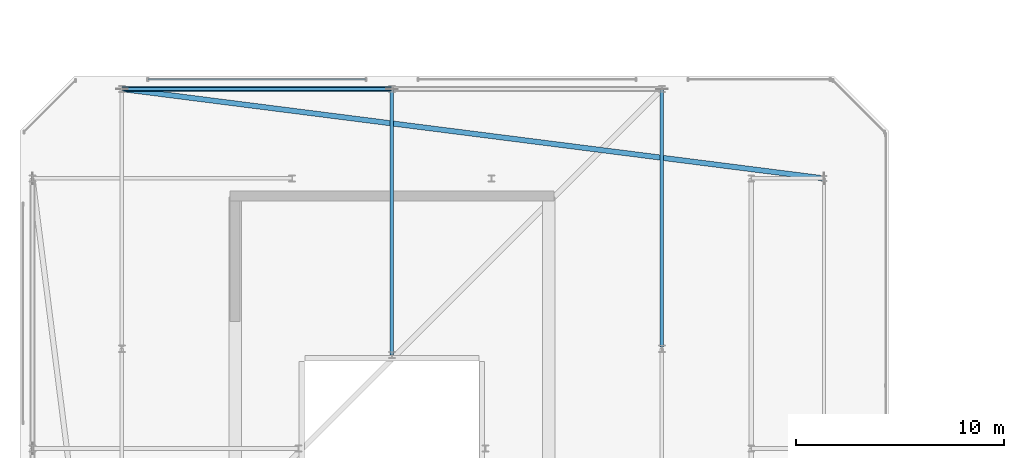
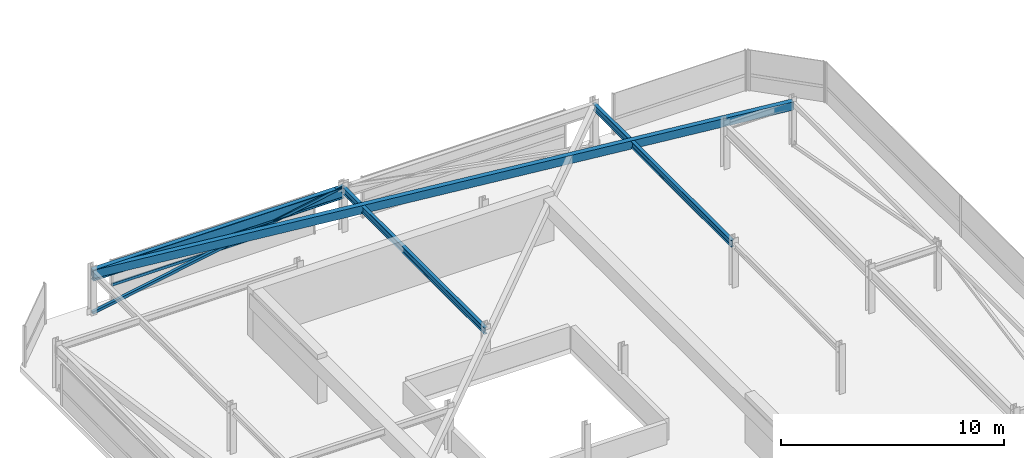
# One storey, part 25 of 44: 4 beams, 2 members, 1 element without a shape of its own.
"""IFC4 building model written with IfcOpenShell, lengths in metres."""

from ifc_helpers import new_model, si_unit, direction, frame, origin, origin_2d, place, context, subcontext, project, spatial, hollow_rectangle, i_section, extrude, material, material_profile, profile_set, type_object, element, aggregate, save


model = new_model("IFC4")

# Units and contexts
model_context = context("Model", 3, precision=1e-05, world=origin(), true_north=direction((0.0, 1.0)))
body_context = subcontext(model_context, "Body", "Model", "MODEL_VIEW")
ifc_project = project(units=[si_unit("LENGTHUNIT", "METRE"), si_unit("AREAUNIT", "SQUARE_METRE"), si_unit("VOLUMEUNIT", "CUBIC_METRE"), si_unit("PLANEANGLEUNIT", "RADIAN"), si_unit("MASSUNIT", "GRAM", prefix="KILO")], contexts=[model_context])

# Site, building, storey
site_placement = place(None, origin())
site = spatial("IfcSite", under=ifc_project, at=site_placement, CompositionType="ELEMENT")
building_placement = place(site_placement, origin())
building = spatial("IfcBuilding", under=site, at=building_placement, Name="Thornwick Lancets Civic Towers", CompositionType="ELEMENT")
storey_placement = place(building_placement, frame((0.0, 0.0, 294.89990234375)))
storey = spatial("IfcBuildingStorey", under=building, at=storey_placement, Name="C06", CompositionType="ELEMENT", Elevation=294.89990234375)

# Beams
ifc_material_1 = material(Name="Steel S355JR", Category="steel")
ifc_material_profile_1 = material_profile(ifc_material_1, i_section(OverallWidth=0.230224609375, OverallDepth=0.6171875, WebThickness=0.01318359375, FlangeThickness=0.022216796875, FilletRadius=0.0126953125, at=origin_2d()), Name="UKB 610x229x140")
ifc_profile_set_1 = profile_set([ifc_material_profile_1], Name="Steel S355JR")
beam_type_1 = type_object("IfcBeamType", Name="BM_GIRD_610_140", PredefinedType="BEAM", material=ifc_profile_set_1)
beam_1_placement = place(storey_placement, frame((12.5, 44.300048828125, 2.131591796875), z_axis=(1.0, 0.0, 0.0), x_axis=(0.0, 1.0, 0.0)))
element("IfcBeam", 1, at=beam_1_placement, inside=storey, type_object=beam_type_1, Name="BM-SPINE-C06-A-6-7", PredefinedType="BEAM", context=body_context, shape_type="SweptSolid", body=[
    extrude(i_section(OverallWidth=0.230224609375, OverallDepth=0.6171875, WebThickness=0.01318359375, FlangeThickness=0.022216796875, FilletRadius=0.0126953125, at=origin_2d()), origin(), (0.0, 0.0, 1.0), 13.0),
])
ifc_material_profile_2 = material_profile(ifc_material_1, i_section(OverallWidth=0.173095703125, OverallDepth=0.36328125, WebThickness=0.009033203125, FlangeThickness=0.015625, FilletRadius=0.01025390625, at=origin_2d()), Name="UKB 356x171x67")
ifc_profile_set_2 = profile_set([ifc_material_profile_2], Name="Steel S355JR")
beam_type_2 = type_object("IfcBeamType", Name="BM_JOIST_356_67", PredefinedType="JOIST", material=ifc_profile_set_2)
beam_2_placement = place(storey_placement, frame((25.5, 31.5, 2.25830078125), z_axis=(0.0, 1.0, 0.0), x_axis=(-1.0, 0.0, 0.0)))
element("IfcBeam", 2, at=beam_2_placement, inside=storey, type_object=beam_type_2, Name="BM-RADIN-C06-A08", PredefinedType="JOIST", context=body_context, shape_type="SweptSolid", body=[
    extrude(i_section(OverallWidth=0.173095703125, OverallDepth=0.36328125, WebThickness=0.009033203125, FlangeThickness=0.015625, FilletRadius=0.01025390625, at=origin_2d()), origin(), (0.0, 0.0, 1.0), 12.800048828125),
])
beam_3_placement = place(storey_placement, frame((38.5, 31.8798828125, 2.25830078125), z_axis=(0.0, 1.0, 0.0), x_axis=(-1.0, 0.0, 0.0)))
element("IfcBeam", 3, at=beam_3_placement, inside=storey, type_object=beam_type_2, Name="BM-RADIN-C06-A09", PredefinedType="JOIST", context=body_context, shape_type="SweptSolid", body=[
    extrude(i_section(OverallWidth=0.173095703125, OverallDepth=0.36328125, WebThickness=0.009033203125, FlangeThickness=0.015625, FilletRadius=0.01025390625, at=origin_2d()), origin(), (0.0, 0.0, 1.0), 12.420166015625),
])
ifc_material_profile_3 = material_profile(ifc_material_1, hollow_rectangle(XDim=0.25, YDim=0.449951171875, WallThickness=0.01611328125, at=origin_2d()), Name="RHS 450x250x16")
ifc_profile_set_3 = profile_set([ifc_material_profile_3], Name="Steel S355JR")
beam_type_3 = type_object("IfcBeamType", Name="BM_RING_RHS450", PredefinedType="BEAM", material=ifc_profile_set_3)
beam_4_placement = place(storey_placement, frame((46.300048828125, 40.0, 2.215087890625), z_axis=(-0.992004437051, 0.126202998662, 0.0), x_axis=(-0.126202998662, -0.992004437051, 0.0)))
element("IfcBeam", 4, at=beam_4_placement, inside=storey, type_object=beam_type_3, Name="BM-CHAMF-C06-A-C1", PredefinedType="BEAM", context=body_context, shape_type="SweptSolid", body=[
    extrude(hollow_rectangle(XDim=0.25, YDim=0.449951171875, WallThickness=0.01611328125, at=origin_2d()), origin(), (0.0, 0.0, 1.0), 34.072509765625),
])

# Curtain wall, member
ifc_material_2 = material(Name="Crown ring acoustic-louvre and glazing screen wall", Category="glass")
curtain_wall_type = type_object("IfcCurtainWallType", Name="CW_SYS_07", PredefinedType="NOTDEFINED", material=ifc_material_2)
curtain_wall_placement = place(storey_placement, origin())
curtain_wall = element("IfcCurtainWall", 5, at=curtain_wall_placement, inside=storey, type_object=curtain_wall_type, Name="C06 Curtain Wall CW-C06-A-E4-S3", PredefinedType="NOTDEFINED")
ifc_material_3 = material(Name="Thermally broken bronze aluminium S355", Category="steel")
ifc_material_profile_4 = material_profile(ifc_material_3, hollow_rectangle(XDim=0.074951171875, YDim=0.14990234375, WallThickness=0.0048828125, at=origin_2d()), Name="RHS 150x75x5")
ifc_profile_set_4 = profile_set([ifc_material_profile_4], Name="Thermally broken bronze aluminium S355")
member_type_1 = type_object("IfcMemberType", Name="CW_TRN_150", PredefinedType="USERDEFINED", material=ifc_profile_set_4)
member_1_placement = place(storey_placement, frame((24.22998046875, 44.7646484375, 0.85009765625), z_axis=(-1.0, 0.0, 0.0), x_axis=(0.0, -1.0, 0.0)))
member_1 = element("IfcMember", 6, at=member_1_placement, type_object=member_type_1, Name="CW-C06-A-E4-S3 Transom 0", ObjectType="TRANSOM", PredefinedType="USERDEFINED", context=body_context, shape_type="SweptSolid", body=[
    extrude(hollow_rectangle(XDim=0.074951171875, YDim=0.14990234375, WallThickness=0.0048828125, at=origin_2d()), origin(), (0.0, 0.0, 1.0), 10.4599609375),
])
aggregate(curtain_wall, [member_1])

# Member
ifc_material_profile_5 = material_profile(ifc_material_1, hollow_rectangle(XDim=0.14990234375, YDim=0.14990234375, WallThickness=0.010009765625, at=origin_2d()), Name="SHS 150x150x10")
ifc_profile_set_5 = profile_set([ifc_material_profile_5], Name="Steel S355JR")
member_type_2 = type_object("IfcMemberType", Name="MEM_CROWN_SHS150", PredefinedType="BRACE", material=ifc_profile_set_5)
member_2_placement = place(storey_placement, frame((12.5, 44.300048828125, 0.050048828125), z_axis=(0.983515136313, 0.0, 0.180825818519), x_axis=(0.0, 1.0, 0.0)))
element("IfcMember", 7, at=member_2_placement, inside=storey, type_object=member_type_2, Name="C06 Crown Ring Lancet Rib A-S2-L", PredefinedType="BRACE", context=body_context, shape_type="SweptSolid", body=[
    extrude(hollow_rectangle(XDim=0.14990234375, YDim=0.14990234375, WallThickness=0.010009765625, at=origin_2d()), origin(), (0.0, 0.0, 1.0), 13.2177734375),
])

save(model, "model.ifc")
